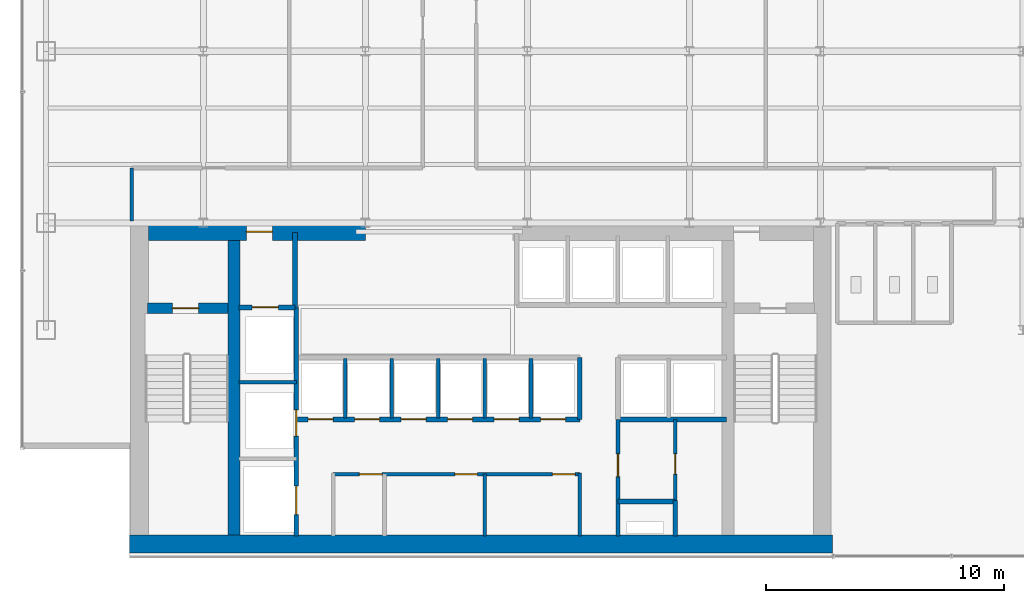
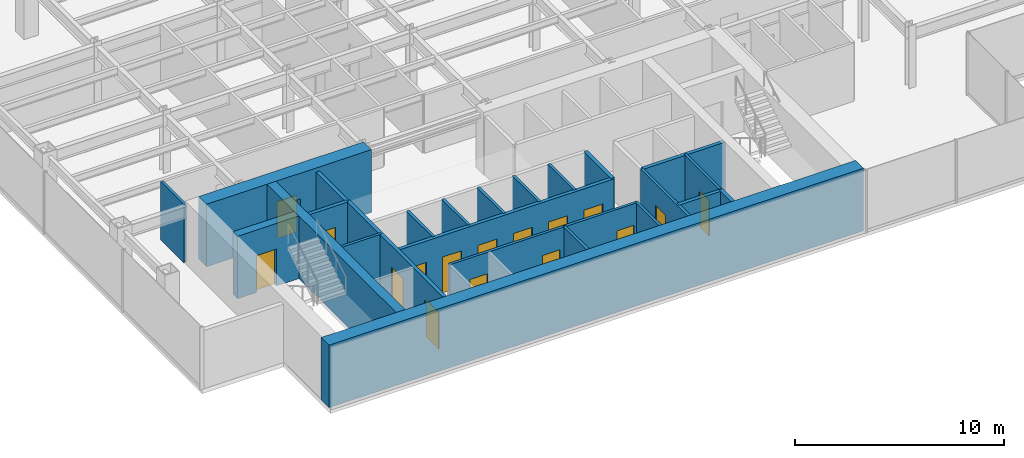
# One storey, part 21 of 26: 24 walls, 16 doors, 16 openings.
"""IFC4 building model written with IfcOpenShell, lengths in metres."""

from ifc_helpers import new_model, si_unit, derived_unit, direction, frame, frame_2d, origin, place, context, subcontext, project, spatial, rectangle, extrude, source, transform, mapped, material, layer, layer_set, type_object, element, fill, save


model = new_model("IFC4")

# Units and contexts
model_context = context("Model", 3, precision=1e-05, world=origin(), true_north=direction((0.0, 1.0)))
body_context = subcontext(model_context, "Body", "Model", "MODEL_VIEW")
ifc_project = project(units=[si_unit("LENGTHUNIT", "METRE"), si_unit("AREAUNIT", "SQUARE_METRE"), si_unit("VOLUMEUNIT", "CUBIC_METRE"), si_unit("PLANEANGLEUNIT", "RADIAN"), si_unit("MASSUNIT", "GRAM", prefix="KILO"), derived_unit("THERMALTRANSMITTANCEUNIT", [(si_unit("POWERUNIT", "WATT"), 1), (si_unit("LENGTHUNIT", "METRE"), -2), (si_unit("THERMODYNAMICTEMPERATUREUNIT", "KELVIN"), -1)])], contexts=[model_context])

# Site, building, storey
site_placement = place(None, origin())
site = spatial("IfcSite", under=ifc_project, at=site_placement, CompositionType="ELEMENT")
building_placement = place(site_placement, origin())
building = spatial("IfcBuilding", under=site, at=building_placement, Name="Skarnbrae Concourse Arena and Tower", CompositionType="ELEMENT")
storey_placement = place(building_placement, frame((0.0, 0.0, 128.800048828125)))
storey = spatial("IfcBuildingStorey", under=building, at=storey_placement, Name="L32", CompositionType="ELEMENT", Elevation=128.800048828125)

# Wall, opening, door
ifc_material_1 = material(Name="Concrete 50 MPa (C50/60)", Category="concrete")
ifc_layer_1 = layer(ifc_material_1, 0.449951171875)
ifc_layer_set_1 = layer_set([ifc_layer_1], Name="Concrete 50 MPa (C50/60)")
wall_type_1 = type_object("IfcWallType", Name="WALL-CORE-450-C50", PredefinedType="SHEAR", material=ifc_layer_set_1)
shared_shape_1 = source(origin(), body_context, "Body", "SweptSolid", [
    extrude(rectangle(XDim=3.389892578125, YDim=0.449951171875, at=frame_2d((1.69482421875, 0.0))), origin(), (0.0, 0.0, 1.0), 3.64990234375),
])
wall_1_placement = place(storey_placement, frame((5.25, 10.419921875, 0.0), z_axis=(0.0, 0.0, 1.0), x_axis=(1.0, 0.0, 0.0)))
wall_1 = element("IfcWall", 1, at=wall_1_placement, inside=storey, type_object=wall_type_1, Name="L32 Rear core shear wall CW-ST1-N", PredefinedType="SHEAR", context=body_context, shape_type="MappedRepresentation", body=[
    mapped(shared_shape_1, transform((0.0, 0.0, 0.0))),
])
opening_1_placement = place(wall_1_placement, frame((1.050048828125, 0.0, 0.0)))
opening_1 = element("IfcOpeningElement", 2, at=opening_1_placement, cuts=wall_1, Name="Opening DT-03", PredefinedType="OPENING", context=body_context, shape_type="SweptSolid", body=[
    extrude(rectangle(XDim=1.10009765625, YDim=2.14990234375, at=frame_2d((0.550048828125, 1.074951171875))), frame((0.0, 0.23486328125, 0.0), z_axis=(0.0, -1.0, 0.0), x_axis=(1.0, 0.0, 0.0)), (0.0, 0.0, 1.0), 0.469970703125),
])
ifc_material_2 = material(Name="Steel CSA G40.21 350W", Category="steel")
door_type_1 = type_object("IfcDoorType", Name="DOOR-FIRE-1100-90M", OperationType="NOTDEFINED", PredefinedType="DOOR", material=ifc_material_2)
shared_shape_2 = source(origin(), body_context, "Body", "SweptSolid", [
    extrude(rectangle(XDim=1.10009765625, YDim=2.14990234375, at=frame_2d((0.550048828125, 1.074951171875))), frame((0.0, 0.02490234375, 0.0), z_axis=(0.0, -1.0, 0.0), x_axis=(1.0, 0.0, 0.0)), (0.0, 0.0, 1.0), 0.050048828125),
])
door_1_placement = place(opening_1_placement, frame((1.10009765625, 0.0, 0.0), z_axis=(0.0, 0.0, 1.0), x_axis=(-1.0, 0.0, 0.0)))
door_1 = element("IfcDoor", 3, at=door_1_placement, inside=storey, type_object=door_type_1, Name="D-1028 Stair ST-1 Door", OperationType="SINGLE_SWING_LEFT", OverallHeight=2.14990234375, OverallWidth=1.10009765625, PredefinedType="DOOR", context=body_context, shape_type="MappedRepresentation", body=[
    mapped(shared_shape_2, transform((0.0, 0.0, 0.0))),
])
fill(opening_1, door_1)

# Wall
ifc_material_3 = material(Name="Concrete 60 MPa (C60/75)", Category="concrete")
ifc_layer_2 = layer(ifc_material_3, 0.75)
ifc_layer_set_2 = layer_set([ifc_layer_2], Name="Concrete 60 MPa (C60/75)")
wall_type_2 = type_object("IfcWallType", Name="WALL-CORE-750-C60", PredefinedType="SHEAR", material=ifc_layer_set_2)
shared_shape_3 = source(origin(), body_context, "Body", "SweptSolid", [
    extrude(rectangle(XDim=29.5, YDim=0.75, at=frame_2d((14.75, 0.0))), origin(), (0.0, 0.0, 1.0), 3.64990234375),
])
wall_2_placement = place(storey_placement, frame((4.5, 0.52490234375, 0.0), z_axis=(0.0, 0.0, 1.0), x_axis=(1.0, 0.0, 0.0)))
element("IfcWall", 4, at=wall_2_placement, inside=storey, type_object=wall_type_2, Name="L32 Rear core shear wall CW-S", PredefinedType="SHEAR", context=body_context, shape_type="MappedRepresentation", body=[
    mapped(shared_shape_3, transform((0.0, 0.0, 0.0))),
])

# Wall, opening, door
shared_shape_4 = source(origin(), body_context, "Body", "SweptSolid", [
    extrude(rectangle(XDim=9.099853515625, YDim=0.75, at=frame_2d((4.5498046875, 0.0))), origin(), (0.0, 0.0, 1.0), 3.64990234375),
])
wall_3_placement = place(storey_placement, frame((5.300048828125, 13.625, 0.0), z_axis=(0.0, 0.0, 1.0), x_axis=(1.0, 0.0, 0.0)))
wall_3 = element("IfcWall", 5, at=wall_3_placement, inside=storey, type_object=wall_type_2, Name="L32 Rear core shear wall CW-NW", PredefinedType="SHEAR", context=body_context, shape_type="MappedRepresentation", body=[
    mapped(shared_shape_4, transform((0.0, 0.0, 0.0))),
])
opening_2_placement = place(wall_3_placement, frame((4.10009765625, 0.0, 0.0)))
opening_2 = element("IfcOpeningElement", 6, at=opening_2_placement, cuts=wall_3, Name="Opening DT-03", PredefinedType="OPENING", context=body_context, shape_type="SweptSolid", body=[
    extrude(rectangle(XDim=1.10009765625, YDim=2.14990234375, at=frame_2d((0.550048828125, 1.074951171875))), frame((0.0, 0.385009765625, 0.0), z_axis=(0.0, -1.0, 0.0), x_axis=(1.0, 0.0, 0.0)), (0.0, 0.0, 1.0), 0.77001953125),
])
door_2_placement = place(opening_2_placement, origin())
door_2 = element("IfcDoor", 7, at=door_2_placement, inside=storey, type_object=door_type_1, Name="D-1030 Firefighting Lobby Exit Door", OperationType="SINGLE_SWING_RIGHT", OverallHeight=2.14990234375, OverallWidth=1.10009765625, PredefinedType="DOOR", context=body_context, shape_type="MappedRepresentation", body=[
    mapped(shared_shape_2, transform((0.0, 0.0, 0.0))),
])
fill(opening_2, door_2)

# Walls
ifc_layer_3 = layer(ifc_material_3, 0.5)
ifc_layer_set_3 = layer_set([ifc_layer_3], Name="Concrete 60 MPa (C60/75)")
wall_type_3 = type_object("IfcWallType", Name="WALL-CORE-500-C60", PredefinedType="SHEAR", material=ifc_layer_set_3)
shared_shape_5 = source(origin(), body_context, "Body", "SweptSolid", [
    extrude(rectangle(XDim=12.35009765625, YDim=0.5, at=frame_2d((6.175048828125, 0.0))), origin(), (0.0, 0.0, 1.0), 3.64990234375),
])
wall_4_placement = place(storey_placement, frame((8.889892578125, 0.89990234375, 0.0), z_axis=(0.0, 0.0, 1.0), x_axis=(0.0, 1.0, 0.0)))
element("IfcWall", 8, at=wall_4_placement, inside=storey, type_object=wall_type_3, Name="L32 Rear core shear wall CW-WEB-W", PredefinedType="SHEAR", context=body_context, shape_type="MappedRepresentation", body=[
    mapped(shared_shape_5, transform((0.0, 0.0, 0.0))),
])
ifc_material_4 = material(Name="Gypsum board on cold-formed steel studs", Category="steel")
ifc_layer_4 = layer(ifc_material_4, 0.199951171875)
ifc_layer_set_4 = layer_set([ifc_layer_4], Name="Gypsum board on cold-formed steel studs")
wall_type_4 = type_object("IfcWallType", Name="WALL-PART-200-2HR", PredefinedType="PARTITIONING", material=ifc_layer_set_4)
shared_shape_6 = source(origin(), body_context, "Body", "SweptSolid", [
    extrude(rectangle(XDim=3.18017578125, YDim=0.199951171875, at=frame_2d((1.590087890625, 0.0))), origin(), (0.0, 0.0, 1.0), 3.39990234375),
])
wall_5_placement = place(storey_placement, frame((11.449951171875, 10.419921875, 0.0), z_axis=(0.0, 0.0, 1.0), x_axis=(0.0, 1.0, 0.0)))
element("IfcWall", 9, at=wall_5_placement, inside=storey, type_object=wall_type_4, Name="L32 Interior partition wall W-L32-FFL-E", PredefinedType="PARTITIONING", context=body_context, shape_type="MappedRepresentation", body=[
    mapped(shared_shape_6, transform((0.0, 0.0, 0.0))),
])

# Wall, opening, door
shared_shape_7 = source(origin(), body_context, "Body", "SweptSolid", [
    extrude(rectangle(XDim=2.349853515625, YDim=0.199951171875, at=frame_2d((1.1748046875, 0.0))), origin(), (0.0, 0.0, 1.0), 3.39990234375),
])
wall_6_placement = place(storey_placement, frame((9.10009765625, 10.449951171875, 0.0), z_axis=(0.0, 0.0, 1.0), x_axis=(1.0, 0.0, 0.0)))
wall_6 = element("IfcWall", 10, at=wall_6_placement, inside=storey, type_object=wall_type_4, Name="L32 Interior partition wall W-L32-FL1-N", PredefinedType="PARTITIONING", context=body_context, shape_type="MappedRepresentation", body=[
    mapped(shared_shape_7, transform((0.0, 0.0, 0.0))),
])
opening_3_placement = place(wall_6_placement, frame((0.550048828125, 0.0, 0.0)))
opening_3 = element("IfcOpeningElement", 11, at=opening_3_placement, cuts=wall_6, Name="Opening LD-01", PredefinedType="OPENING", context=body_context, shape_type="SweptSolid", body=[
    extrude(rectangle(XDim=1.10009765625, YDim=2.14990234375, at=frame_2d((0.550048828125, 1.074951171875))), frame((0.0, 0.10986328125, 0.0), z_axis=(0.0, -1.0, 0.0), x_axis=(1.0, 0.0, 0.0)), (0.0, 0.0, 1.0), 0.219970703125),
])
door_type_2 = type_object("IfcDoorType", Name="DOOR-LIFT-SLIDE-1100", OperationType="SLIDING_TO_LEFT", PredefinedType="DOOR", material=ifc_material_2)
door_3_placement = place(opening_3_placement, origin())
door_3 = element("IfcDoor", 12, at=door_3_placement, inside=storey, type_object=door_type_2, Name="D-1032 Firefighting Lift Landing Door FL-01", OperationType="SLIDING_TO_LEFT", OverallHeight=2.14990234375, OverallWidth=1.10009765625, PredefinedType="DOOR", context=body_context, shape_type="MappedRepresentation", body=[
    mapped(shared_shape_2, transform((0.0, 0.0, 0.0))),
])
fill(opening_3, door_3)

# Wall, openings, doors
shared_shape_8 = source(origin(), body_context, "Body", "SweptSolid", [
    extrude(rectangle(XDim=9.599853515625, YDim=0.199951171875, at=frame_2d((4.7998046875, 0.0))), origin(), (0.0, 0.0, 1.0), 3.39990234375),
])
wall_7_placement = place(storey_placement, frame((11.5, 0.85009765625, 0.0), z_axis=(0.0, 0.0, 1.0), x_axis=(0.0, 1.0, 0.0)))
wall_7 = element("IfcWall", 13, at=wall_7_placement, inside=storey, type_object=wall_type_4, Name="L32 Interior partition wall W-L32-FL-E", PredefinedType="PARTITIONING", context=body_context, shape_type="MappedRepresentation", body=[
    mapped(shared_shape_8, transform((0.0, 0.0, 0.0))),
])
opening_4_placement = place(wall_7_placement, frame((4.199951171875, 0.0, 0.0)))
opening_4 = element("IfcOpeningElement", 14, at=opening_4_placement, cuts=wall_7, Name="Opening LD-01", PredefinedType="OPENING", context=body_context, shape_type="SweptSolid", body=[
    extrude(rectangle(XDim=1.10009765625, YDim=2.14990234375, at=frame_2d((0.550048828125, 1.074951171875))), frame((0.0, 0.10986328125, 0.0), z_axis=(0.0, -1.0, 0.0), x_axis=(1.0, 0.0, 0.0)), (0.0, 0.0, 1.0), 0.219970703125),
])
opening_5_placement = place(wall_7_placement, frame((0.89990234375, 0.0, 0.0)))
opening_5 = element("IfcOpeningElement", 15, at=opening_5_placement, cuts=wall_7, Name="Opening LD-02", PredefinedType="OPENING", context=body_context, shape_type="SweptSolid", body=[
    extrude(rectangle(XDim=1.199951171875, YDim=2.14990234375, at=frame_2d((0.60009765625, 1.074951171875))), frame((0.0, 0.10986328125, 0.0), z_axis=(0.0, -1.0, 0.0), x_axis=(1.0, 0.0, 0.0)), (0.0, 0.0, 1.0), 0.219970703125),
])
door_4_placement = place(opening_4_placement, frame((1.10009765625, 0.0, 0.0), z_axis=(0.0, 0.0, 1.0), x_axis=(-1.0, 0.0, 0.0)))
door_4 = element("IfcDoor", 16, at=door_4_placement, inside=storey, type_object=door_type_2, Name="D-1033 Firefighting Lift Landing Door FL-02", OperationType="SLIDING_TO_LEFT", OverallHeight=2.14990234375, OverallWidth=1.10009765625, PredefinedType="DOOR", context=body_context, shape_type="MappedRepresentation", body=[
    mapped(shared_shape_2, transform((0.0, 0.0, 0.0))),
])
fill(opening_4, door_4)
door_type_3 = type_object("IfcDoorType", Name="DOOR-LIFT-SLIDE-1200", OperationType="SLIDING_TO_LEFT", PredefinedType="DOOR", material=ifc_material_2)
shared_shape_9 = source(origin(), body_context, "Body", "SweptSolid", [
    extrude(rectangle(XDim=1.199951171875, YDim=2.14990234375, at=frame_2d((0.60009765625, 1.074951171875))), frame((0.0, 0.02490234375, 0.0), z_axis=(0.0, -1.0, 0.0), x_axis=(1.0, 0.0, 0.0)), (0.0, 0.0, 1.0), 0.050048828125),
])
door_5_placement = place(opening_5_placement, frame((1.199951171875, 0.0, 0.0), z_axis=(0.0, 0.0, 1.0), x_axis=(-1.0, 0.0, 0.0)))
door_5 = element("IfcDoor", 17, at=door_5_placement, inside=storey, type_object=door_type_3, Name="D-1034 Service Lift Landing Door SV-01", OperationType="SLIDING_TO_LEFT", OverallHeight=2.14990234375, OverallWidth=1.199951171875, PredefinedType="DOOR", context=body_context, shape_type="MappedRepresentation", body=[
    mapped(shared_shape_9, transform((0.0, 0.0, 0.0))),
])
fill(opening_5, door_5)

# Walls
ifc_layer_5 = layer(ifc_material_4, 0.14990234375)
ifc_layer_set_5 = layer_set([ifc_layer_5], Name="Gypsum board on cold-formed steel studs")
wall_type_5 = type_object("IfcWallType", Name="WALL-PART-150", PredefinedType="PARTITIONING", material=ifc_layer_set_5)
shared_shape_10 = source(origin(), body_context, "Body", "SweptSolid", [
    extrude(rectangle(XDim=2.39990234375, YDim=0.14990234375, at=frame_2d((1.199951171875, 0.0))), origin(), (0.0, 0.0, 1.0), 3.39990234375),
])
wall_8_placement = place(storey_placement, frame((9.10009765625, 7.300048828125, 0.0), z_axis=(0.0, 0.0, 1.0), x_axis=(1.0, 0.0, 0.0)))
element("IfcWall", 18, at=wall_8_placement, inside=storey, type_object=wall_type_5, Name="L32 Interior partition wall W-L32-FL-D2", PredefinedType="PARTITIONING", context=body_context, shape_type="MappedRepresentation", body=[
    mapped(shared_shape_10, transform((0.0, 0.0, 0.0))),
])
shared_shape_11 = source(origin(), body_context, "Body", "SweptSolid", [
    extrude(rectangle(XDim=2.599853515625, YDim=0.14990234375, at=frame_2d((1.2998046875, 0.0))), origin(), (0.0, 0.0, 1.0), 3.39990234375),
])
wall_9_placement = place(storey_placement, frame((19.39990234375, 0.85009765625, 0.0), z_axis=(0.0, 0.0, 1.0), x_axis=(0.0, 1.0, 0.0)))
element("IfcWall", 19, at=wall_9_placement, inside=storey, type_object=wall_type_5, Name="L32 Interior partition wall W-L32-B1M-C2", PredefinedType="PARTITIONING", context=body_context, shape_type="MappedRepresentation", body=[
    mapped(shared_shape_11, transform((0.0, 0.0, 0.0))),
])

# Wall, openings, doors
shared_shape_12 = source(origin(), body_context, "Body", "SweptSolid", [
    extrude(rectangle(XDim=11.849853515625, YDim=0.199951171875, at=frame_2d((5.9248046875, 0.0))), origin(), (0.0, 0.0, 1.0), 3.39990234375),
])
wall_10_placement = place(storey_placement, frame((11.550048828125, 5.75, 0.0), z_axis=(0.0, 0.0, 1.0), x_axis=(1.0, 0.0, 0.0)))
wall_10 = element("IfcWall", 20, at=wall_10_placement, inside=storey, type_object=wall_type_4, Name="L32 Interior partition wall W-L32-B2-S", PredefinedType="PARTITIONING", context=body_context, shape_type="MappedRepresentation", body=[
    mapped(shared_shape_12, transform((0.0, 0.0, 0.0))),
])
opening_6_placement = place(wall_10_placement, frame((0.449951171875, 0.0, 0.0)))
opening_6 = element("IfcOpeningElement", 21, at=opening_6_placement, cuts=wall_10, Name="Opening LD-03", PredefinedType="OPENING", context=body_context, shape_type="SweptSolid", body=[
    extrude(rectangle(XDim=1.050048828125, YDim=2.14990234375, at=frame_2d((0.52490234375, 1.074951171875))), frame((0.0, 0.10986328125, 0.0), z_axis=(0.0, -1.0, 0.0), x_axis=(1.0, 0.0, 0.0)), (0.0, 0.0, 1.0), 0.219970703125),
])
opening_7_placement = place(wall_10_placement, frame((2.39990234375, 0.0, 0.0)))
opening_7 = element("IfcOpeningElement", 22, at=opening_7_placement, cuts=wall_10, Name="Opening LD-03", PredefinedType="OPENING", context=body_context, shape_type="SweptSolid", body=[
    extrude(rectangle(XDim=1.050048828125, YDim=2.14990234375, at=frame_2d((0.52490234375, 1.074951171875))), frame((0.0, 0.10986328125, 0.0), z_axis=(0.0, -1.0, 0.0), x_axis=(1.0, 0.0, 0.0)), (0.0, 0.0, 1.0), 0.219970703125),
])
opening_8_placement = place(wall_10_placement, frame((4.35009765625, 0.0, 0.0)))
opening_8 = element("IfcOpeningElement", 23, at=opening_8_placement, cuts=wall_10, Name="Opening LD-03", PredefinedType="OPENING", context=body_context, shape_type="SweptSolid", body=[
    extrude(rectangle(XDim=1.050048828125, YDim=2.14990234375, at=frame_2d((0.52490234375, 1.074951171875))), frame((0.0, 0.10986328125, 0.0), z_axis=(0.0, -1.0, 0.0), x_axis=(1.0, 0.0, 0.0)), (0.0, 0.0, 1.0), 0.219970703125),
])
opening_9_placement = place(wall_10_placement, frame((6.300048828125, 0.0, 0.0)))
opening_9 = element("IfcOpeningElement", 24, at=opening_9_placement, cuts=wall_10, Name="Opening LD-03", PredefinedType="OPENING", context=body_context, shape_type="SweptSolid", body=[
    extrude(rectangle(XDim=1.050048828125, YDim=2.14990234375, at=frame_2d((0.52490234375, 1.074951171875))), frame((0.0, 0.10986328125, 0.0), z_axis=(0.0, -1.0, 0.0), x_axis=(1.0, 0.0, 0.0)), (0.0, 0.0, 1.0), 0.219970703125),
])
opening_10_placement = place(wall_10_placement, frame((8.25, 0.0, 0.0)))
opening_10 = element("IfcOpeningElement", 25, at=opening_10_placement, cuts=wall_10, Name="Opening LD-03", PredefinedType="OPENING", context=body_context, shape_type="SweptSolid", body=[
    extrude(rectangle(XDim=1.050048828125, YDim=2.14990234375, at=frame_2d((0.52490234375, 1.074951171875))), frame((0.0, 0.10986328125, 0.0), z_axis=(0.0, -1.0, 0.0), x_axis=(1.0, 0.0, 0.0)), (0.0, 0.0, 1.0), 0.219970703125),
])
opening_11_placement = place(wall_10_placement, frame((10.199951171875, 0.0, 0.0)))
opening_11 = element("IfcOpeningElement", 26, at=opening_11_placement, cuts=wall_10, Name="Opening LD-03", PredefinedType="OPENING", context=body_context, shape_type="SweptSolid", body=[
    extrude(rectangle(XDim=1.050048828125, YDim=2.14990234375, at=frame_2d((0.52490234375, 1.074951171875))), frame((0.0, 0.10986328125, 0.0), z_axis=(0.0, -1.0, 0.0), x_axis=(1.0, 0.0, 0.0)), (0.0, 0.0, 1.0), 0.219970703125),
])
ifc_material_5 = material(Name="Bronze anodised aluminium 6063-T6", Category="aluminium")
door_type_4 = type_object("IfcDoorType", Name="DOOR-LIFT-SLIDE-1050", OperationType="SLIDING_TO_LEFT", PredefinedType="DOOR", material=ifc_material_5)
shared_shape_13 = source(origin(), body_context, "Body", "SweptSolid", [
    extrude(rectangle(XDim=1.050048828125, YDim=2.14990234375, at=frame_2d((0.52490234375, 1.074951171875))), frame((0.0, 0.02490234375, 0.0), z_axis=(0.0, -1.0, 0.0), x_axis=(1.0, 0.0, 0.0)), (0.0, 0.0, 1.0), 0.050048828125),
])
door_6_placement = place(opening_6_placement, frame((1.050048828125, 0.0, 0.0), z_axis=(0.0, 0.0, 1.0), x_axis=(-1.0, 0.0, 0.0)))
door_6 = element("IfcDoor", 27, at=door_6_placement, inside=storey, type_object=door_type_4, Name="D-1038 Passenger Lift Landing Door PL-2A", OperationType="SLIDING_TO_LEFT", OverallHeight=2.14990234375, OverallWidth=1.050048828125, PredefinedType="DOOR", context=body_context, shape_type="MappedRepresentation", body=[
    mapped(shared_shape_13, transform((0.0, 0.0, 0.0))),
])
fill(opening_6, door_6)
door_7_placement = place(opening_7_placement, frame((1.050048828125, 0.0, 0.0), z_axis=(0.0, 0.0, 1.0), x_axis=(-1.0, 0.0, 0.0)))
door_7 = element("IfcDoor", 28, at=door_7_placement, inside=storey, type_object=door_type_4, Name="D-1039 Passenger Lift Landing Door PL-2B", OperationType="SLIDING_TO_LEFT", OverallHeight=2.14990234375, OverallWidth=1.050048828125, PredefinedType="DOOR", context=body_context, shape_type="MappedRepresentation", body=[
    mapped(shared_shape_13, transform((0.0, 0.0, 0.0))),
])
fill(opening_7, door_7)
door_8_placement = place(opening_8_placement, frame((1.050048828125, 0.0, 0.0), z_axis=(0.0, 0.0, 1.0), x_axis=(-1.0, 0.0, 0.0)))
door_8 = element("IfcDoor", 29, at=door_8_placement, inside=storey, type_object=door_type_4, Name="D-1040 Passenger Lift Landing Door PL-2C", OperationType="SLIDING_TO_LEFT", OverallHeight=2.14990234375, OverallWidth=1.050048828125, PredefinedType="DOOR", context=body_context, shape_type="MappedRepresentation", body=[
    mapped(shared_shape_13, transform((0.0, 0.0, 0.0))),
])
fill(opening_8, door_8)
door_9_placement = place(opening_9_placement, frame((1.050048828125, 0.0, 0.0), z_axis=(0.0, 0.0, 1.0), x_axis=(-1.0, 0.0, 0.0)))
door_9 = element("IfcDoor", 30, at=door_9_placement, inside=storey, type_object=door_type_4, Name="D-1041 Passenger Lift Landing Door PL-2D", OperationType="SLIDING_TO_LEFT", OverallHeight=2.14990234375, OverallWidth=1.050048828125, PredefinedType="DOOR", context=body_context, shape_type="MappedRepresentation", body=[
    mapped(shared_shape_13, transform((0.0, 0.0, 0.0))),
])
fill(opening_9, door_9)
door_10_placement = place(opening_10_placement, frame((1.050048828125, 0.0, 0.0), z_axis=(0.0, 0.0, 1.0), x_axis=(-1.0, 0.0, 0.0)))
door_10 = element("IfcDoor", 31, at=door_10_placement, inside=storey, type_object=door_type_4, Name="D-1042 Passenger Lift Landing Door PL-2E", OperationType="SLIDING_TO_LEFT", OverallHeight=2.14990234375, OverallWidth=1.050048828125, PredefinedType="DOOR", context=body_context, shape_type="MappedRepresentation", body=[
    mapped(shared_shape_13, transform((0.0, 0.0, 0.0))),
])
fill(opening_10, door_10)
door_11_placement = place(opening_11_placement, frame((1.050048828125, 0.0, 0.0), z_axis=(0.0, 0.0, 1.0), x_axis=(-1.0, 0.0, 0.0)))
door_11 = element("IfcDoor", 32, at=door_11_placement, inside=storey, type_object=door_type_4, Name="D-1043 Passenger Lift Landing Door PL-2F", OperationType="SLIDING_TO_LEFT", OverallHeight=2.14990234375, OverallWidth=1.050048828125, PredefinedType="DOOR", context=body_context, shape_type="MappedRepresentation", body=[
    mapped(shared_shape_13, transform((0.0, 0.0, 0.0))),
])
fill(opening_11, door_11)

# Walls
shared_shape_14 = source(origin(), body_context, "Body", "SweptSolid", [
    extrude(rectangle(XDim=2.60009765625, YDim=0.199951171875, at=frame_2d((1.300048828125, 0.0))), origin(), (0.0, 0.0, 1.0), 3.39990234375),
])
wall_11_placement = place(storey_placement, frame((23.39990234375, 5.75, 0.0), z_axis=(0.0, 0.0, 1.0), x_axis=(0.0, 1.0, 0.0)))
element("IfcWall", 33, at=wall_11_placement, inside=storey, type_object=wall_type_4, Name="L32 Interior partition wall W-L32-B2-E", PredefinedType="PARTITIONING", context=body_context, shape_type="MappedRepresentation", body=[
    mapped(shared_shape_14, transform((0.0, 0.0, 0.0))),
])
shared_shape_15 = source(origin(), body_context, "Body", "SweptSolid", [
    extrude(rectangle(XDim=2.5, YDim=0.14990234375, at=frame_2d((1.25, 0.0))), origin(), (0.0, 0.0, 1.0), 3.39990234375),
])
for number, where, z_axis, x_axis, name in (
    (34, (13.550048828125, 5.800048828125, 0.0), (0.0, 0.0, 1.0), (0.0, 1.0, 0.0), "L32 Interior partition wall W-L32-B2-P1"),
    (35, (15.5, 5.800048828125, 0.0), (0.0, 0.0, 1.0), (0.0, 1.0, 0.0), "L32 Interior partition wall W-L32-B2-P2"),
    (36, (17.449951171875, 5.800048828125, 0.0), (0.0, 0.0, 1.0), (0.0, 1.0, 0.0), "L32 Interior partition wall W-L32-B2-P3"),
    (37, (19.39990234375, 5.800048828125, 0.0), (0.0, 0.0, 1.0), (0.0, 1.0, 0.0), "L32 Interior partition wall W-L32-B2-P4"),
    (38, (21.35009765625, 5.800048828125, 0.0), (0.0, 0.0, 1.0), (0.0, 1.0, 0.0), "L32 Interior partition wall W-L32-B2-P5"),
):
    element("IfcWall", number, at=place(storey_placement, frame(where, z_axis=z_axis, x_axis=x_axis)), inside=storey, type_object=wall_type_5, Name=name, PredefinedType="PARTITIONING", context=body_context, shape_type="MappedRepresentation", body=[
        mapped(shared_shape_15, transform((0.0, 0.0, 0.0))),
    ])
shared_shape_16 = source(origin(), body_context, "Body", "SweptSolid", [
    extrude(rectangle(XDim=4.550048828125, YDim=0.199951171875, at=frame_2d((2.27490234375, 0.0))), origin(), (0.0, 0.0, 1.0), 3.39990234375),
])
wall_12_placement = place(storey_placement, frame((25.0, 5.75, 0.0), z_axis=(0.0, 0.0, 1.0), x_axis=(1.0, 0.0, 0.0)))
element("IfcWall", 39, at=wall_12_placement, inside=storey, type_object=wall_type_4, Name="L32 Interior partition wall W-L32-B3S-S", PredefinedType="PARTITIONING", context=body_context, shape_type="MappedRepresentation", body=[
    mapped(shared_shape_16, transform((0.0, 0.0, 0.0))),
])

# Wall, opening, door
ifc_layer_6 = layer(ifc_material_4, 0.14990234375)
ifc_layer_set_6 = layer_set([ifc_layer_6], Name="Gypsum board on cold-formed steel studs")
wall_type_6 = type_object("IfcWallType", Name="WALL-PART-150-1HR", PredefinedType="PARTITIONING", material=ifc_layer_set_6)
shared_shape_17 = source(origin(), body_context, "Body", "SweptSolid", [
    extrude(rectangle(XDim=4.89990234375, YDim=0.14990234375, at=frame_2d((2.449951171875, 0.0))), origin(), (0.0, 0.0, 1.0), 3.39990234375),
])
wall_13_placement = place(storey_placement, frame((25.0, 0.85009765625, 0.0), z_axis=(0.0, 0.0, 1.0), x_axis=(0.0, 1.0, 0.0)))
wall_13 = element("IfcWall", 40, at=wall_13_placement, inside=storey, type_object=wall_type_6, Name="L32 Interior partition wall W-L32-CSV-W", PredefinedType="PARTITIONING", context=body_context, shape_type="MappedRepresentation", body=[
    mapped(shared_shape_17, transform((0.0, 0.0, 0.0))),
])
opening_12_placement = place(wall_13_placement, frame((2.5, 0.0, 0.0)))
opening_12 = element("IfcOpeningElement", 41, at=opening_12_placement, cuts=wall_13, Name="Opening DT-04", PredefinedType="OPENING", context=body_context, shape_type="SweptSolid", body=[
    extrude(rectangle(XDim=0.949951171875, YDim=2.14990234375, at=frame_2d((0.47509765625, 1.074951171875))), frame((0.0, 0.0849609375, 0.0), z_axis=(0.0, -1.0, 0.0), x_axis=(1.0, 0.0, 0.0)), (0.0, 0.0, 1.0), 0.169921875),
])
door_type_5 = type_object("IfcDoorType", Name="DOOR-INT-950-45M", OperationType="NOTDEFINED", PredefinedType="DOOR", material=ifc_material_2)
shared_shape_18 = source(origin(), body_context, "Body", "SweptSolid", [
    extrude(rectangle(XDim=0.949951171875, YDim=2.14990234375, at=frame_2d((0.47509765625, 1.074951171875))), frame((0.0, 0.02490234375, 0.0), z_axis=(0.0, -1.0, 0.0), x_axis=(1.0, 0.0, 0.0)), (0.0, 0.0, 1.0), 0.050048828125),
])
door_12_placement = place(opening_12_placement, origin())
door_12 = element("IfcDoor", 42, at=door_12_placement, inside=storey, type_object=door_type_5, Name="D-1044 Core Pantry Door", OperationType="SINGLE_SWING_RIGHT", OverallHeight=2.14990234375, OverallWidth=0.949951171875, PredefinedType="DOOR", context=body_context, shape_type="MappedRepresentation", body=[
    mapped(shared_shape_18, transform((0.0, 0.0, 0.0))),
])
fill(opening_12, door_12)

# Walls
shared_shape_19 = source(origin(), body_context, "Body", "SweptSolid", [
    extrude(rectangle(XDim=2.39990234375, YDim=0.199951171875, at=frame_2d((1.199951171875, 0.0))), origin(), (0.0, 0.0, 1.0), 3.39990234375),
])
wall_14_placement = place(storey_placement, frame((25.0, 2.300048828125, 0.0), z_axis=(0.0, 0.0, 1.0), x_axis=(1.0, 0.0, 0.0)))
element("IfcWall", 43, at=wall_14_placement, inside=storey, type_object=wall_type_4, Name="L32 Interior partition wall W-L32-MEP-N", PredefinedType="PARTITIONING", context=body_context, shape_type="MappedRepresentation", body=[
    mapped(shared_shape_19, transform((0.0, 0.0, 0.0))),
])
shared_shape_20 = source(origin(), body_context, "Body", "SweptSolid", [
    extrude(rectangle(XDim=1.5, YDim=0.199951171875, at=frame_2d((0.75, 0.0))), origin(), (0.0, 0.0, 1.0), 3.39990234375),
])
wall_15_placement = place(storey_placement, frame((27.39990234375, 0.85009765625, 0.0), z_axis=(0.0, 0.0, 1.0), x_axis=(0.0, 1.0, 0.0)))
element("IfcWall", 44, at=wall_15_placement, inside=storey, type_object=wall_type_4, Name="L32 Interior partition wall W-L32-MEP-E", PredefinedType="PARTITIONING", context=body_context, shape_type="MappedRepresentation", body=[
    mapped(shared_shape_20, transform((0.0, 0.0, 0.0))),
])

# Wall, opening, door
shared_shape_21 = source(origin(), body_context, "Body", "SweptSolid", [
    extrude(rectangle(XDim=3.39990234375, YDim=0.14990234375, at=frame_2d((1.699951171875, 0.0))), origin(), (0.0, 0.0, 1.0), 3.39990234375),
])
wall_16_placement = place(storey_placement, frame((27.39990234375, 2.35009765625, 0.0), z_axis=(0.0, 0.0, 1.0), x_axis=(0.0, 1.0, 0.0)))
wall_16 = element("IfcWall", 45, at=wall_16_placement, inside=storey, type_object=wall_type_5, Name="L32 Interior partition wall W-L32-CSV-V", PredefinedType="PARTITIONING", context=body_context, shape_type="MappedRepresentation", body=[
    mapped(shared_shape_21, transform((0.0, 0.0, 0.0))),
])
opening_13_placement = place(wall_16_placement, frame((1.10009765625, 0.0, 0.0)))
opening_13 = element("IfcOpeningElement", 46, at=opening_13_placement, cuts=wall_16, Name="Opening DT-06", PredefinedType="OPENING", context=body_context, shape_type="SweptSolid", body=[
    extrude(rectangle(XDim=0.85009765625, YDim=2.10009765625, at=frame_2d((0.425048828125, 1.050048828125))), frame((0.0, 0.0849609375, 0.0), z_axis=(0.0, -1.0, 0.0), x_axis=(1.0, 0.0, 0.0)), (0.0, 0.0, 1.0), 0.169921875),
])
ifc_material_6 = material(Name="Architectural oak veneer timber leaf", Category="wood")
door_type_6 = type_object("IfcDoorType", Name="DOOR-INT-850", OperationType="NOTDEFINED", PredefinedType="DOOR", material=ifc_material_6)
shared_shape_22 = source(origin(), body_context, "Body", "SweptSolid", [
    extrude(rectangle(XDim=0.85009765625, YDim=2.10009765625, at=frame_2d((0.425048828125, 1.050048828125))), frame((0.0, 0.02490234375, 0.0), z_axis=(0.0, -1.0, 0.0), x_axis=(1.0, 0.0, 0.0)), (0.0, 0.0, 1.0), 0.050048828125),
])
door_13_placement = place(opening_13_placement, frame((0.85009765625, 0.0, 0.0), z_axis=(0.0, 0.0, 1.0), x_axis=(-1.0, 0.0, 0.0)))
door_13 = element("IfcDoor", 47, at=door_13_placement, inside=storey, type_object=door_type_6, Name="D-1045 Supply Cupboard Door", OperationType="SINGLE_SWING_LEFT", OverallHeight=2.10009765625, OverallWidth=0.85009765625, PredefinedType="DOOR", context=body_context, shape_type="MappedRepresentation", body=[
    mapped(shared_shape_22, transform((0.0, 0.0, 0.0))),
])
fill(opening_13, door_13)

# Wall
shared_shape_23 = source(origin(), body_context, "Body", "SweptSolid", [
    extrude(rectangle(XDim=2.64990234375, YDim=0.14990234375, at=frame_2d((1.324951171875, 0.0))), origin(), (0.0, 0.0, 1.0), 3.39990234375),
])
wall_17_placement = place(storey_placement, frame((23.39990234375, 0.85009765625, 0.0), z_axis=(0.0, 0.0, 1.0), x_axis=(0.0, 1.0, 0.0)))
element("IfcWall", 48, at=wall_17_placement, inside=storey, type_object=wall_type_6, Name="L32 Interior partition wall W-L32-B1M-E", PredefinedType="PARTITIONING", context=body_context, shape_type="MappedRepresentation", body=[
    mapped(shared_shape_23, transform((0.0, 0.0, 0.0))),
])

# Wall, openings, doors
shared_shape_24 = source(origin(), body_context, "Body", "SweptSolid", [
    extrude(rectangle(XDim=10.349853515625, YDim=0.14990234375, at=frame_2d((5.1748046875, 0.0))), origin(), (0.0, 0.0, 1.0), 3.39990234375),
])
wall_18_placement = place(storey_placement, frame((13.050048828125, 3.449951171875, 0.0), z_axis=(0.0, 0.0, 1.0), x_axis=(1.0, 0.0, 0.0)))
wall_18 = element("IfcWall", 49, at=wall_18_placement, inside=storey, type_object=wall_type_6, Name="L32 Interior partition wall W-L32-B1M-N", PredefinedType="PARTITIONING", context=body_context, shape_type="MappedRepresentation", body=[
    mapped(shared_shape_24, transform((0.0, 0.0, 0.0))),
])
opening_14_placement = place(wall_18_placement, frame((1.10009765625, 0.0, 0.0)))
opening_14 = element("IfcOpeningElement", 50, at=opening_14_placement, cuts=wall_18, Name="Opening DT-04", PredefinedType="OPENING", context=body_context, shape_type="SweptSolid", body=[
    extrude(rectangle(XDim=0.949951171875, YDim=2.14990234375, at=frame_2d((0.47509765625, 1.074951171875))), frame((0.0, 0.0849609375, 0.0), z_axis=(0.0, -1.0, 0.0), x_axis=(1.0, 0.0, 0.0)), (0.0, 0.0, 1.0), 0.169921875),
])
opening_15_placement = place(wall_18_placement, frame((5.10009765625, 0.0, 0.0)))
opening_15 = element("IfcOpeningElement", 51, at=opening_15_placement, cuts=wall_18, Name="Opening DT-04", PredefinedType="OPENING", context=body_context, shape_type="SweptSolid", body=[
    extrude(rectangle(XDim=0.949951171875, YDim=2.14990234375, at=frame_2d((0.47509765625, 1.074951171875))), frame((0.0, 0.0849609375, 0.0), z_axis=(0.0, -1.0, 0.0), x_axis=(1.0, 0.0, 0.0)), (0.0, 0.0, 1.0), 0.169921875),
])
opening_16_placement = place(wall_18_placement, frame((9.199951171875, 0.0, 0.0)))
opening_16 = element("IfcOpeningElement", 52, at=opening_16_placement, cuts=wall_18, Name="Opening DT-04", PredefinedType="OPENING", context=body_context, shape_type="SweptSolid", body=[
    extrude(rectangle(XDim=0.949951171875, YDim=2.14990234375, at=frame_2d((0.47509765625, 1.074951171875))), frame((0.0, 0.0849609375, 0.0), z_axis=(0.0, -1.0, 0.0), x_axis=(1.0, 0.0, 0.0)), (0.0, 0.0, 1.0), 0.169921875),
])
door_14_placement = place(opening_14_placement, origin())
door_14 = element("IfcDoor", 53, at=door_14_placement, inside=storey, type_object=door_type_5, Name="D-1035 Core Service Door 1", OperationType="SINGLE_SWING_LEFT", OverallHeight=2.14990234375, OverallWidth=0.949951171875, PredefinedType="DOOR", context=body_context, shape_type="MappedRepresentation", body=[
    mapped(shared_shape_18, transform((0.0, 0.0, 0.0))),
])
fill(opening_14, door_14)
door_15_placement = place(opening_15_placement, origin())
door_15 = element("IfcDoor", 54, at=door_15_placement, inside=storey, type_object=door_type_5, Name="D-1036 Core Service Door 2", OperationType="SINGLE_SWING_RIGHT", OverallHeight=2.14990234375, OverallWidth=0.949951171875, PredefinedType="DOOR", context=body_context, shape_type="MappedRepresentation", body=[
    mapped(shared_shape_18, transform((0.0, 0.0, 0.0))),
])
fill(opening_15, door_15)
door_16_placement = place(opening_16_placement, origin())
door_16 = element("IfcDoor", 55, at=door_16_placement, inside=storey, type_object=door_type_5, Name="D-1037 Core Service Door 3", OperationType="SINGLE_SWING_LEFT", OverallHeight=2.14990234375, OverallWidth=0.949951171875, PredefinedType="DOOR", context=body_context, shape_type="MappedRepresentation", body=[
    mapped(shared_shape_18, transform((0.0, 0.0, 0.0))),
])
fill(opening_16, door_16)

# Wall
shared_shape_25 = source(origin(), body_context, "Body", "SweptSolid", [
    extrude(rectangle(XDim=2.219970703125, YDim=0.14990234375, at=frame_2d((1.10986328125, 0.0))), origin(), (0.0, 0.0, 1.0), 3.39990234375),
])
wall_19_placement = place(storey_placement, frame((4.60009765625, 14.080078125, 0.0), z_axis=(0.0, 0.0, 1.0), x_axis=(0.0, 1.0, 0.0)))
element("IfcWall", 56, at=wall_19_placement, inside=storey, type_object=wall_type_6, Name="L32 Interior partition wall W-L32-COR-01", PredefinedType="PARTITIONING", context=body_context, shape_type="MappedRepresentation", body=[
    mapped(shared_shape_25, transform((0.0, 0.0, 0.0))),
])

save(model, "model.ifc")
